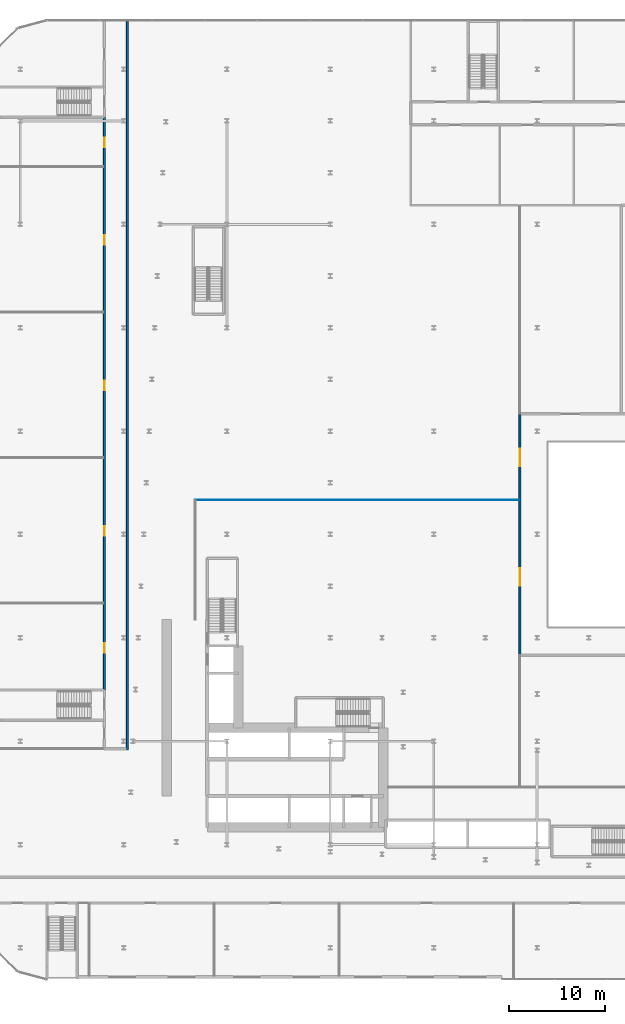
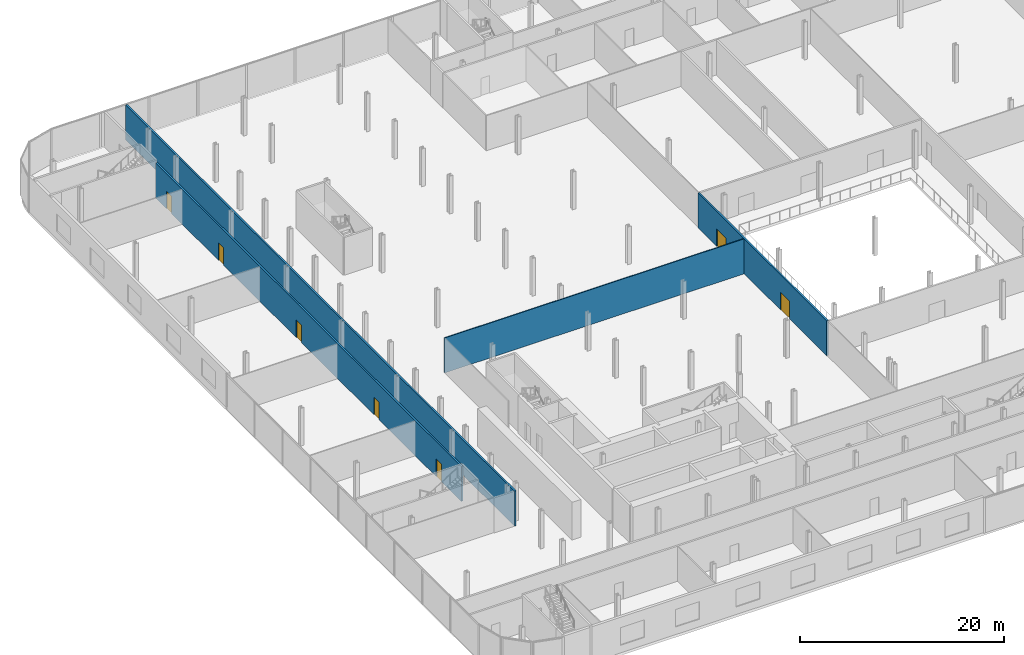
# One storey, part 31 of 47: 7 doors, 4 walls, 7 openings.
"""IFC4 building model written with IfcOpenShell, lengths in metres."""

from ifc_helpers import new_model, si_unit, direction, frame, frame_2d, origin, place, context, subcontext, project, spatial, rectangle, extrude, source, transform, mapped, material, layer, layer_set, type_object, element, fill, save


model = new_model("IFC4")

# Units and contexts
model_context = context("Model", 3, precision=1e-05, world=origin(), true_north=direction((0.0, 1.0)))
body_context = subcontext(model_context, "Body", "Model", "MODEL_VIEW")
ifc_project = project(units=[si_unit("LENGTHUNIT", "METRE"), si_unit("AREAUNIT", "SQUARE_METRE"), si_unit("VOLUMEUNIT", "CUBIC_METRE"), si_unit("PLANEANGLEUNIT", "RADIAN"), si_unit("MASSUNIT", "GRAM", prefix="KILO")], contexts=[model_context])

# Site, building, storey
site_placement = place(None, origin())
site = spatial("IfcSite", under=ifc_project, at=site_placement, CompositionType="ELEMENT")
building_placement = place(site_placement, origin())
building = spatial("IfcBuilding", under=site, at=building_placement, Name="Kheshtan School and Residences Tower", CompositionType="ELEMENT")
storey_placement = place(building_placement, frame((0.0, 0.0, 21.5)))
storey = spatial("IfcBuildingStorey", under=building, at=storey_placement, Name="L04", CompositionType="ELEMENT", Elevation=21.5)

# Wall, openings, doors
ifc_material_1 = material(Name="Gypsum board on steel studs with fire boards", Category="steel")
ifc_layer_1 = layer(ifc_material_1, 0.199951171875)
ifc_layer_set_1 = layer_set([ifc_layer_1], Name="Corridor wall 200")
wall_type_1 = type_object("IfcWallType", Name="Corridor wall 200", PredefinedType="PARTITIONING", material=ifc_layer_set_1)
wall_1_placement = place(storey_placement, frame((24.0, 40.14990234375, 0.0), z_axis=(0.0, 0.0, 1.0), x_axis=(0.0, 1.0, 0.0)))
wall_1 = element("IfcWall", 1, at=wall_1_placement, inside=storey, type_object=wall_type_1, Name="Partition L04-012", PredefinedType="PARTITIONING", context=body_context, shape_type="SweptSolid", body=[
    extrude(rectangle(XDim=59.85009765625, YDim=0.199951171875, at=frame_2d((29.925048828125, 0.0))), origin(), (0.0, 0.0, 1.0), 4.179931640625),
])
opening_1_placement = place(wall_1_placement, frame((3.89990234375, 0.0, 0.0)))
opening_1 = element("IfcOpeningElement", 2, at=opening_1_placement, cuts=wall_1, Name="Opening D04-053", PredefinedType="OPENING", context=body_context, shape_type="SweptSolid", body=[
    extrude(rectangle(XDim=1.0, YDim=2.10009765625, at=frame_2d((0.5, 1.050048828125))), frame((0.0, 0.10986328125, 0.0), z_axis=(0.0, -1.0, 0.0), x_axis=(1.0, 0.0, 0.0)), (0.0, 0.0, 1.0), 0.219970703125),
])
opening_2_placement = place(wall_1_placement, frame((16.10009765625, 0.0, 0.0)))
opening_2 = element("IfcOpeningElement", 3, at=opening_2_placement, cuts=wall_1, Name="Opening D04-054", PredefinedType="OPENING", context=body_context, shape_type="SweptSolid", body=[
    extrude(rectangle(XDim=1.0, YDim=2.10009765625, at=frame_2d((0.5, 1.050048828125))), frame((0.0, 0.10986328125, 0.0), z_axis=(0.0, -1.0, 0.0), x_axis=(1.0, 0.0, 0.0)), (0.0, 0.0, 1.0), 0.219970703125),
])
opening_3_placement = place(wall_1_placement, frame((31.300048828125, 0.0, 0.0)))
opening_3 = element("IfcOpeningElement", 4, at=opening_3_placement, cuts=wall_1, Name="Opening D04-055", PredefinedType="OPENING", context=body_context, shape_type="SweptSolid", body=[
    extrude(rectangle(XDim=1.0, YDim=2.10009765625, at=frame_2d((0.5, 1.050048828125))), frame((0.0, 0.10986328125, 0.0), z_axis=(0.0, -1.0, 0.0), x_axis=(1.0, 0.0, 0.0)), (0.0, 0.0, 1.0), 0.219970703125),
])
opening_4_placement = place(wall_1_placement, frame((46.5, 0.0, 0.0)))
opening_4 = element("IfcOpeningElement", 5, at=opening_4_placement, cuts=wall_1, Name="Opening D04-056", PredefinedType="OPENING", context=body_context, shape_type="SweptSolid", body=[
    extrude(rectangle(XDim=1.0, YDim=2.10009765625, at=frame_2d((0.5, 1.050048828125))), frame((0.0, 0.10986328125, 0.0), z_axis=(0.0, -1.0, 0.0), x_axis=(1.0, 0.0, 0.0)), (0.0, 0.0, 1.0), 0.219970703125),
])
opening_5_placement = place(wall_1_placement, frame((56.699951171875, 0.0, 0.0)))
opening_5 = element("IfcOpeningElement", 6, at=opening_5_placement, cuts=wall_1, Name="Opening D04-057", PredefinedType="OPENING", context=body_context, shape_type="SweptSolid", body=[
    extrude(rectangle(XDim=1.0, YDim=2.10009765625, at=frame_2d((0.5, 1.050048828125))), frame((0.0, 0.10986328125, 0.0), z_axis=(0.0, -1.0, 0.0), x_axis=(1.0, 0.0, 0.0)), (0.0, 0.0, 1.0), 0.219970703125),
])
ifc_material_2 = material(Name="Steel-framed fire-resisting door leaf", Category="steel")
door_type_1 = type_object("IfcDoorType", Name="Fire door FD60 1000 x 2100", OperationType="SINGLE_SWING_LEFT", PredefinedType="DOOR", material=ifc_material_2)
shared_shape_1 = source(origin(), body_context, "Body", "SweptSolid", [
    extrude(rectangle(XDim=1.0, YDim=2.10009765625, at=frame_2d((0.5, 1.050048828125))), frame((0.0, 0.02490234375, 0.0), z_axis=(0.0, -1.0, 0.0), x_axis=(1.0, 0.0, 0.0)), (0.0, 0.0, 1.0), 0.050048828125),
])
door_1_placement = place(opening_1_placement, origin())
door_1 = element("IfcDoor", 7, at=door_1_placement, inside=storey, type_object=door_type_1, Name="Door D04-053", OperationType="SINGLE_SWING_LEFT", OverallHeight=2.10009765625, OverallWidth=1.0, PredefinedType="DOOR", context=body_context, shape_type="MappedRepresentation", body=[
    mapped(shared_shape_1, transform((0.0, 0.0, 0.0), x_axis=(1.0, 0.0, 0.0), y_axis=(0.0, 1.0, 0.0), z_axis=(0.0, 0.0, 1.0), scale=1.0)),
])
fill(opening_1, door_1)
door_2_placement = place(opening_2_placement, origin())
door_2 = element("IfcDoor", 8, at=door_2_placement, inside=storey, type_object=door_type_1, Name="Door D04-054", OperationType="SINGLE_SWING_LEFT", OverallHeight=2.10009765625, OverallWidth=1.0, PredefinedType="DOOR", context=body_context, shape_type="MappedRepresentation", body=[
    mapped(shared_shape_1, transform((0.0, 0.0, 0.0), x_axis=(1.0, 0.0, 0.0), y_axis=(0.0, 1.0, 0.0), z_axis=(0.0, 0.0, 1.0), scale=1.0)),
])
fill(opening_2, door_2)
door_3_placement = place(opening_3_placement, origin())
door_3 = element("IfcDoor", 9, at=door_3_placement, inside=storey, type_object=door_type_1, Name="Door D04-055", OperationType="SINGLE_SWING_LEFT", OverallHeight=2.10009765625, OverallWidth=1.0, PredefinedType="DOOR", context=body_context, shape_type="MappedRepresentation", body=[
    mapped(shared_shape_1, transform((0.0, 0.0, 0.0), x_axis=(1.0, 0.0, 0.0), y_axis=(0.0, 1.0, 0.0), z_axis=(0.0, 0.0, 1.0), scale=1.0)),
])
fill(opening_3, door_3)
door_4_placement = place(opening_4_placement, origin())
door_4 = element("IfcDoor", 10, at=door_4_placement, inside=storey, type_object=door_type_1, Name="Door D04-056", OperationType="SINGLE_SWING_LEFT", OverallHeight=2.10009765625, OverallWidth=1.0, PredefinedType="DOOR", context=body_context, shape_type="MappedRepresentation", body=[
    mapped(shared_shape_1, transform((0.0, 0.0, 0.0), x_axis=(1.0, 0.0, 0.0), y_axis=(0.0, 1.0, 0.0), z_axis=(0.0, 0.0, 1.0), scale=1.0)),
])
fill(opening_4, door_4)
door_5_placement = place(opening_5_placement, origin())
door_5 = element("IfcDoor", 11, at=door_5_placement, inside=storey, type_object=door_type_1, Name="Door D04-057", OperationType="SINGLE_SWING_LEFT", OverallHeight=2.10009765625, OverallWidth=1.0, PredefinedType="DOOR", context=body_context, shape_type="MappedRepresentation", body=[
    mapped(shared_shape_1, transform((0.0, 0.0, 0.0), x_axis=(1.0, 0.0, 0.0), y_axis=(0.0, 1.0, 0.0), z_axis=(0.0, 0.0, 1.0), scale=1.0)),
])
fill(opening_5, door_5)

# Wall
wall_2_placement = place(storey_placement, frame((26.39990234375, 33.89990234375, 0.0), z_axis=(0.0, 0.0, 1.0), x_axis=(0.0, 1.0, 0.0)))
element("IfcWall", 12, at=wall_2_placement, inside=storey, type_object=wall_type_1, Name="Partition L04-014", PredefinedType="PARTITIONING", context=body_context, shape_type="SweptSolid", body=[
    extrude(rectangle(XDim=76.10009765625, YDim=0.199951171875, at=frame_2d((38.050048828125, 0.0))), origin(), (0.0, 0.0, 1.0), 4.179931640625),
])

# Wall, openings, doors
wall_3_placement = place(storey_placement, frame((67.39990234375, 43.800048828125, 0.0), z_axis=(0.0, 0.0, 1.0), x_axis=(0.0, 1.0, 0.0)))
wall_3 = element("IfcWall", 13, at=wall_3_placement, inside=storey, type_object=wall_type_1, Name="Partition L04-030", PredefinedType="PARTITIONING", context=body_context, shape_type="SweptSolid", body=[
    extrude(rectangle(XDim=25.199951171875, YDim=0.199951171875, at=frame_2d((12.60009765625, 0.0))), origin(), (0.0, 0.0, 1.0), 4.179931640625),
])
opening_6_placement = place(wall_3_placement, frame((7.25, 0.0, 0.0)))
opening_6 = element("IfcOpeningElement", 14, at=opening_6_placement, cuts=wall_3, Name="Opening D04-059", PredefinedType="OPENING", context=body_context, shape_type="SweptSolid", body=[
    extrude(rectangle(XDim=1.800048828125, YDim=2.10009765625, at=frame_2d((0.89990234375, 1.050048828125))), frame((0.0, 0.10986328125, 0.0), z_axis=(0.0, -1.0, 0.0), x_axis=(1.0, 0.0, 0.0)), (0.0, 0.0, 1.0), 0.219970703125),
])
opening_7_placement = place(wall_3_placement, frame((19.75, 0.0, 0.0)))
opening_7 = element("IfcOpeningElement", 15, at=opening_7_placement, cuts=wall_3, Name="Opening D04-060", PredefinedType="OPENING", context=body_context, shape_type="SweptSolid", body=[
    extrude(rectangle(XDim=1.800048828125, YDim=2.10009765625, at=frame_2d((0.89990234375, 1.050048828125))), frame((0.0, 0.10986328125, 0.0), z_axis=(0.0, -1.0, 0.0), x_axis=(1.0, 0.0, 0.0)), (0.0, 0.0, 1.0), 0.219970703125),
])
door_type_2 = type_object("IfcDoorType", Name="Fire double door FD60 1800 x 2100", OperationType="DOUBLE_DOOR_SINGLE_SWING", PredefinedType="DOOR", material=ifc_material_2)
shared_shape_2 = source(origin(), body_context, "Body", "SweptSolid", [
    extrude(rectangle(XDim=1.800048828125, YDim=2.10009765625, at=frame_2d((0.89990234375, 1.050048828125))), frame((0.0, 0.02490234375, 0.0), z_axis=(0.0, -1.0, 0.0), x_axis=(1.0, 0.0, 0.0)), (0.0, 0.0, 1.0), 0.050048828125),
])
door_6_placement = place(opening_6_placement, origin())
door_6 = element("IfcDoor", 16, at=door_6_placement, inside=storey, type_object=door_type_2, Name="Door D04-059", OperationType="DOUBLE_DOOR_SINGLE_SWING", OverallHeight=2.10009765625, OverallWidth=1.800048828125, PredefinedType="DOOR", context=body_context, shape_type="MappedRepresentation", body=[
    mapped(shared_shape_2, transform((0.0, 0.0, 0.0), x_axis=(1.0, 0.0, 0.0), y_axis=(0.0, 1.0, 0.0), z_axis=(0.0, 0.0, 1.0), scale=1.0)),
])
fill(opening_6, door_6)
door_7_placement = place(opening_7_placement, origin())
door_7 = element("IfcDoor", 17, at=door_7_placement, inside=storey, type_object=door_type_2, Name="Door D04-060", OperationType="DOUBLE_DOOR_SINGLE_SWING", OverallHeight=2.10009765625, OverallWidth=1.800048828125, PredefinedType="DOOR", context=body_context, shape_type="MappedRepresentation", body=[
    mapped(shared_shape_2, transform((0.0, 0.0, 0.0), x_axis=(1.0, 0.0, 0.0), y_axis=(0.0, 1.0, 0.0), z_axis=(0.0, 0.0, 1.0), scale=1.0)),
])
fill(opening_7, door_7)

# Wall
ifc_material_3 = material(Name="Gypsum board on steel studs", Category="steel")
ifc_layer_2 = layer(ifc_material_3, 0.10009765625)
ifc_layer_set_2 = layer_set([ifc_layer_2], Name="Gypsum partition 100")
wall_type_2 = type_object("IfcWallType", Name="Gypsum partition 100", PredefinedType="PARTITIONING", material=ifc_layer_set_2)
wall_4_placement = place(storey_placement, frame((33.449951171875, 60.0, 0.0), z_axis=(0.0, 0.0, 1.0), x_axis=(1.0, 0.0, 0.0)))
element("IfcWall", 18, at=wall_4_placement, inside=storey, type_object=wall_type_2, Name="Partition L04-015", PredefinedType="PARTITIONING", context=body_context, shape_type="SweptSolid", body=[
    extrude(rectangle(XDim=33.85009765625, YDim=0.10009765625, at=frame_2d((16.925048828125, 0.0))), origin(), (0.0, 0.0, 1.0), 4.179931640625),
])

save(model, "model.ifc")
